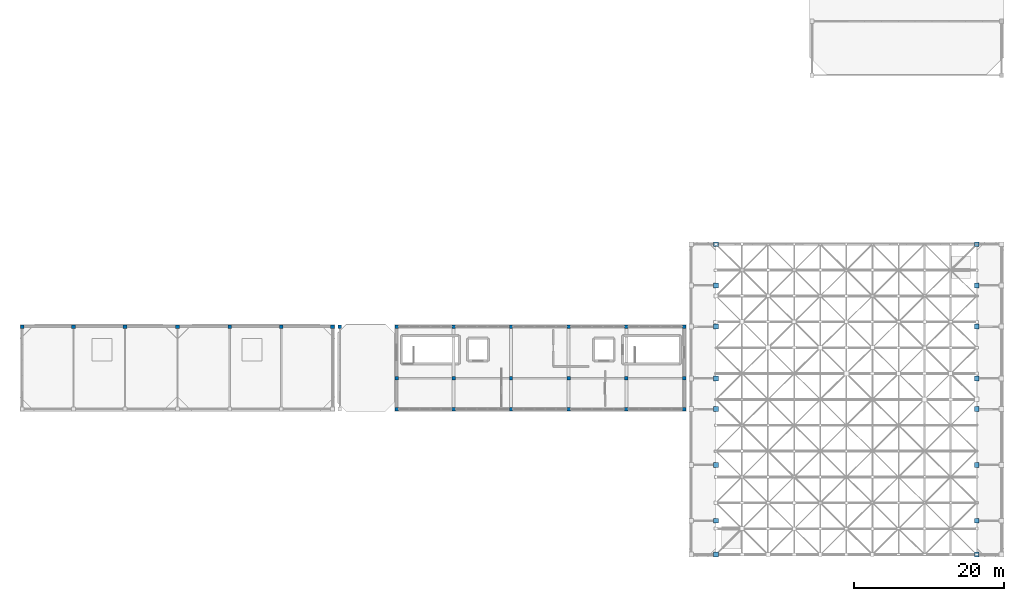
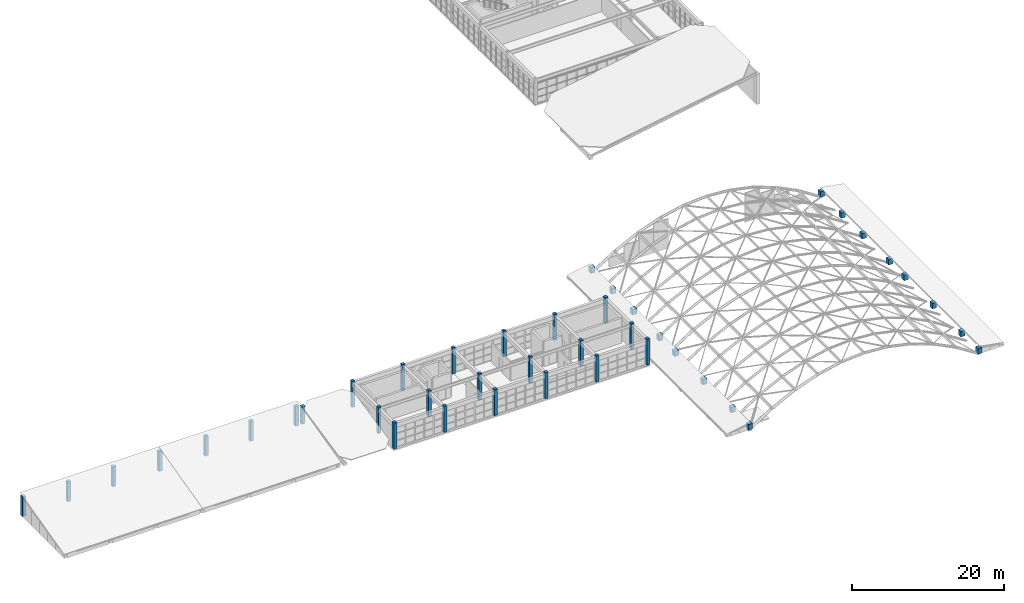
# One storey, part 1 of 52: 42 columns.
"""IFC4 building model written with IfcOpenShell, lengths in metres."""

from ifc_helpers import new_model, si_unit, direction, frame, origin, origin_2d, place, context, subcontext, project, spatial, rectangle, extrude, material, material_profile, profile_set, type_object, element, save


model = new_model("IFC4")

# Units and contexts
model_context = context("Model", 3, precision=1e-05, world=origin(), true_north=direction((0.0, 1.0)))
body_context = subcontext(model_context, "Body", "Model", "MODEL_VIEW")
ifc_project = project(units=[si_unit("LENGTHUNIT", "METRE"), si_unit("AREAUNIT", "SQUARE_METRE"), si_unit("VOLUMEUNIT", "CUBIC_METRE"), si_unit("PLANEANGLEUNIT", "RADIAN"), si_unit("MASSUNIT", "GRAM", prefix="KILO")], contexts=[model_context])

# Site, building, storey
site_placement = place(None, origin())
site = spatial("IfcSite", under=ifc_project, at=site_placement, CompositionType="ELEMENT")
building_placement = place(site_placement, origin())
building = spatial("IfcBuilding", under=site, at=building_placement, Name="Candilejo Ridge Gondola Terminal", CompositionType="ELEMENT")
storey_placement = place(building_placement, frame((0.0, 0.0, 18.60009765625)))
storey = spatial("IfcBuildingStorey", under=building, at=storey_placement, Name="L04", CompositionType="ELEMENT", Elevation=18.60009765625)

# Columns
ifc_material_1 = material(Name="Concrete f'c 35 MPa (C35/45)", Category="concrete")
ifc_material_profile_1 = material_profile(ifc_material_1, rectangle(XDim=0.449951171875, YDim=0.449951171875, at=origin_2d()))
ifc_profile_set_1 = profile_set([ifc_material_profile_1], Name="Concrete f'c 35 MPa (C35/45)")
column_type_1 = type_object("IfcColumnType", Name="STR-COL-RC450", PredefinedType="COLUMN", material=ifc_profile_set_1)
for number, where, z_axis, x_axis, name in (
    (1, (94.60009765625, 25.699951171875, 0.0), (0.0, 0.0, 1.0), (1.0, 0.0, 0.0), "Column V3 L04 X15-Y05"),
    (2, (94.60009765625, 29.800048828125, 0.0), (0.0, 0.0, 1.0), (1.0, 0.0, 0.0), "Column V3 L04 X15-Y06"),
    (3, (94.60009765625, 36.699951171875, 0.0), (0.0, 0.0, 1.0), (1.0, 0.0, 0.0), "Column V3 L04 X15-Y07"),
    (4, (102.199951171875, 25.699951171875, 0.0), (0.0, 0.0, 1.0), (1.0, 0.0, 0.0), "Column V3 L04 X16-Y05"),
    (5, (102.199951171875, 29.800048828125, 0.0), (0.0, 0.0, 1.0), (1.0, 0.0, 0.0), "Column V3 L04 X16-Y06"),
    (6, (102.199951171875, 36.699951171875, 0.0), (0.0, 0.0, 1.0), (1.0, 0.0, 0.0), "Column V3 L04 X16-Y07"),
    (7, (109.85009765625, 25.699951171875, 0.0), (0.0, 0.0, 1.0), (1.0, 0.0, 0.0), "Column V3 L04 X17-Y05"),
    (8, (109.85009765625, 29.800048828125, 0.0), (0.0, 0.0, 1.0), (1.0, 0.0, 0.0), "Column V3 L04 X17-Y06"),
    (9, (109.85009765625, 36.699951171875, 0.0), (0.0, 0.0, 1.0), (1.0, 0.0, 0.0), "Column V3 L04 X17-Y07"),
    (10, (117.550048828125, 25.699951171875, 0.0), (0.0, 0.0, 1.0), (1.0, 0.0, 0.0), "Column V3 L04 X18-Y05"),
    (11, (117.550048828125, 29.800048828125, 0.0), (0.0, 0.0, 1.0), (1.0, 0.0, 0.0), "Column V3 L04 X18-Y06"),
    (12, (117.550048828125, 36.699951171875, 0.0), (0.0, 0.0, 1.0), (1.0, 0.0, 0.0), "Column V3 L04 X18-Y07"),
    (13, (125.25, 25.699951171875, 0.0), (0.0, 0.0, 1.0), (1.0, 0.0, 0.0), "Column V3 L04 X19-Y05"),
    (14, (125.25, 29.800048828125, 0.0), (0.0, 0.0, 1.0), (1.0, 0.0, 0.0), "Column V3 L04 X19-Y06"),
    (15, (125.25, 36.699951171875, 0.0), (0.0, 0.0, 1.0), (1.0, 0.0, 0.0), "Column V3 L04 X19-Y07"),
    (16, (132.949951171875, 25.699951171875, 0.0), (0.0, 0.0, 1.0), (1.0, 0.0, 0.0), "Column V3 L04 X20-Y05"),
    (17, (132.949951171875, 29.800048828125, 0.0), (0.0, 0.0, 1.0), (1.0, 0.0, 0.0), "Column V3 L04 X20-Y06"),
    (18, (132.949951171875, 36.699951171875, 0.0), (0.0, 0.0, 1.0), (1.0, 0.0, 0.0), "Column V3 L04 X20-Y07"),
):
    element("IfcColumn", number, at=place(storey_placement, frame(where, z_axis=z_axis, x_axis=x_axis)), inside=storey, type_object=column_type_1, Name=name, PredefinedType="COLUMN", context=body_context, shape_type="SweptSolid", body=[
        extrude(rectangle(XDim=0.449951171875, YDim=0.449951171875, at=origin_2d()), origin(), (0.0, 0.0, 1.0), 4.199951171875),
    ])
ifc_material_2 = material(Name="Concrete f'c 35 MPa (C35/45)", Category="concrete")
ifc_material_profile_2 = material_profile(ifc_material_2, rectangle(XDim=0.5, YDim=0.5, at=origin_2d()))
ifc_profile_set_2 = profile_set([ifc_material_profile_2], Name="Concrete f'c 35 MPa (C35/45)")
column_type_2 = type_object("IfcColumnType", Name="STR-COL-RC500", PredefinedType="COLUMN", material=ifc_profile_set_2)
for number, where, z_axis, x_axis, name in (
    (19, (44.64990234375, 36.699951171875, 0.0), (0.0, 0.0, 1.0), (1.0, 0.0, 0.0), "Roof ridge column RF-V2-WEST-01-N"),
    (20, (51.5, 36.699951171875, 0.0), (0.0, 0.0, 1.0), (1.0, 0.0, 0.0), "Roof ridge column RF-V2-WEST-02-N"),
    (21, (58.35009765625, 36.699951171875, 0.0), (0.0, 0.0, 1.0), (1.0, 0.0, 0.0), "Roof ridge column RF-V2-WEST-03-N"),
    (22, (65.35009765625, 36.699951171875, 0.0), (0.0, 0.0, 1.0), (1.0, 0.0, 0.0), "Roof ridge column RF-V2-WEST-04-N"),
    (23, (72.35009765625, 36.699951171875, 0.0), (0.0, 0.0, 1.0), (1.0, 0.0, 0.0), "Roof ridge column RF-V2-EAST-01-N"),
    (24, (79.199951171875, 36.699951171875, 0.0), (0.0, 0.0, 1.0), (1.0, 0.0, 0.0), "Roof ridge column RF-V2-EAST-02-N"),
    (25, (86.050048828125, 36.699951171875, 0.0), (0.0, 0.0, 1.0), (1.0, 0.0, 0.0), "Roof ridge column RF-V2-EAST-03-N"),
):
    element("IfcColumn", number, at=place(storey_placement, frame(where, z_axis=z_axis, x_axis=x_axis)), inside=storey, type_object=column_type_2, Name=name, PredefinedType="COLUMN", context=body_context, shape_type="SweptSolid", body=[
        extrude(rectangle(XDim=0.5, YDim=0.5, at=origin_2d()), origin(), (0.0, 0.0, 1.0), 3.169189453125),
    ])
column_placement = place(storey_placement, frame((87.0, 36.699951171875, 0.0), z_axis=(0.0, 0.0, 1.0), x_axis=(1.0, 0.0, 0.0)))
element("IfcColumn", 26, at=column_placement, inside=storey, type_object=column_type_2, Name="Roof ridge column RF-V3-STEP-01-N", PredefinedType="COLUMN", context=body_context, shape_type="SweptSolid", body=[
    extrude(rectangle(XDim=0.5, YDim=0.5, at=origin_2d()), origin(), (0.0, 0.0, 1.0), 2.7705078125),
])
ifc_material_3 = material(Name="Concrete f'c 35 MPa (C35/45)", Category="concrete")
ifc_material_profile_3 = material_profile(ifc_material_3, rectangle(XDim=0.64990234375, YDim=0.64990234375, at=origin_2d()))
ifc_profile_set_3 = profile_set([ifc_material_profile_3], Name="Concrete f'c 35 MPa (C35/45)")
column_type_3 = type_object("IfcColumnType", Name="STR-COL-RC650", PredefinedType="COLUMN", material=ifc_profile_set_3)
for number, where, z_axis, x_axis, name in (
    (27, (137.199951171875, 6.300048828125, 0.0), (0.0, 0.0, 1.0), (1.0, 0.0, 0.0), "Roof ridge post RF-V4-WEST-01-E"),
    (28, (137.199951171875, 10.800048828125, 0.0), (0.0, 0.0, 1.0), (1.0, 0.0, 0.0), "Roof ridge post RF-V4-WEST-02-E"),
    (29, (137.199951171875, 18.25, 0.0), (0.0, 0.0, 1.0), (1.0, 0.0, 0.0), "Roof ridge post RF-V4-WEST-03-E"),
    (30, (137.199951171875, 25.699951171875, 0.0), (0.0, 0.0, 1.0), (1.0, 0.0, 0.0), "Roof ridge post RF-V4-WEST-04-E"),
    (31, (137.199951171875, 29.800048828125, 0.0), (0.0, 0.0, 1.0), (1.0, 0.0, 0.0), "Roof ridge post RF-V4-WEST-05-E"),
    (32, (137.199951171875, 36.699951171875, 0.0), (0.0, 0.0, 1.0), (1.0, 0.0, 0.0), "Roof ridge post RF-V4-WEST-06-E"),
    (33, (137.199951171875, 42.199951171875, 0.0), (0.0, 0.0, 1.0), (1.0, 0.0, 0.0), "Roof ridge post RF-V4-WEST-07-E"),
    (34, (137.199951171875, 47.699951171875, 0.0), (0.0, 0.0, 1.0), (1.0, 0.0, 0.0), "Roof ridge post RF-V4-WEST-08-E"),
    (35, (172.0, 6.300048828125, 0.0), (0.0, 0.0, 1.0), (1.0, 0.0, 0.0), "Roof ridge post RF-V4-EAST-01-W"),
    (36, (172.0, 10.800048828125, 0.0), (0.0, 0.0, 1.0), (1.0, 0.0, 0.0), "Roof ridge post RF-V4-EAST-02-W"),
    (37, (172.0, 18.25, 0.0), (0.0, 0.0, 1.0), (1.0, 0.0, 0.0), "Roof ridge post RF-V4-EAST-03-W"),
    (38, (172.0, 25.699951171875, 0.0), (0.0, 0.0, 1.0), (1.0, 0.0, 0.0), "Roof ridge post RF-V4-EAST-04-W"),
    (39, (172.0, 29.800048828125, 0.0), (0.0, 0.0, 1.0), (1.0, 0.0, 0.0), "Roof ridge post RF-V4-EAST-05-W"),
    (40, (172.0, 36.699951171875, 0.0), (0.0, 0.0, 1.0), (1.0, 0.0, 0.0), "Roof ridge post RF-V4-EAST-06-W"),
    (41, (172.0, 42.199951171875, 0.0), (0.0, 0.0, 1.0), (1.0, 0.0, 0.0), "Roof ridge post RF-V4-EAST-07-W"),
    (42, (172.0, 47.699951171875, 0.0), (0.0, 0.0, 1.0), (1.0, 0.0, 0.0), "Roof ridge post RF-V4-EAST-08-W"),
):
    element("IfcColumn", number, at=place(storey_placement, frame(where, z_axis=z_axis, x_axis=x_axis)), inside=storey, type_object=column_type_3, Name=name, PredefinedType="COLUMN", context=body_context, shape_type="SweptSolid", body=[
        extrude(rectangle(XDim=0.64990234375, YDim=0.64990234375, at=origin_2d()), origin(), (0.0, 0.0, 1.0), 0.86328125),
    ])

save(model, "model.ifc")
